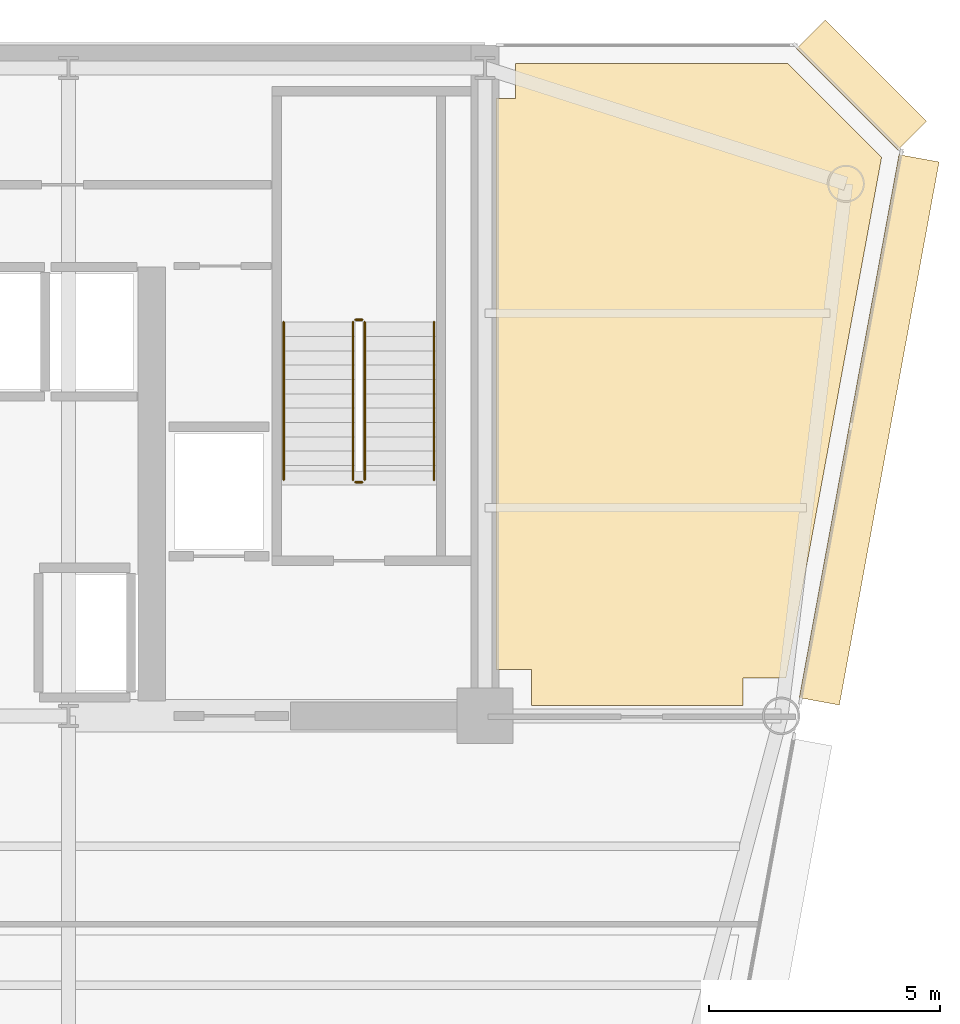
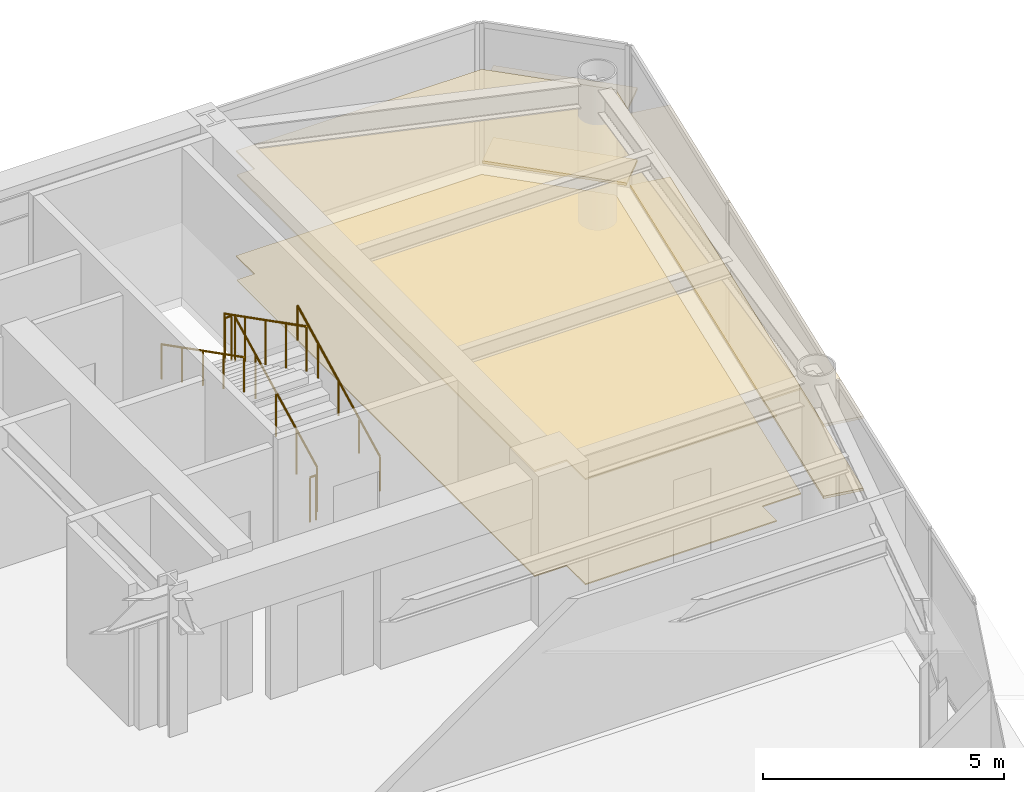
# One storey, part 16 of 16: 6 coverings, 6 railings.
"""IFC4 building model written with IfcOpenShell, lengths in metres."""

from ifc_helpers import new_model, si_unit, direction, frame, origin, origin_2d, place, context, subcontext, project, spatial, polyline, rectangle, circle, outline, extrude, source, transform, mapped, material, layer, layer_set, type_object, element, save


model = new_model("IFC4")

# Units and contexts
model_context = context("Model", 3, precision=1e-05, world=origin(), true_north=direction((0.0, 1.0)))
body_context = subcontext(model_context, "Body", "Model", "MODEL_VIEW")
ifc_project = project(units=[si_unit("LENGTHUNIT", "METRE"), si_unit("AREAUNIT", "SQUARE_METRE"), si_unit("VOLUMEUNIT", "CUBIC_METRE"), si_unit("PLANEANGLEUNIT", "RADIAN"), si_unit("MASSUNIT", "GRAM", prefix="KILO")], contexts=[model_context])

# Site, building, storey
site_placement = place(None, origin())
site = spatial("IfcSite", under=ifc_project, at=site_placement, CompositionType="ELEMENT")
building_placement = place(site_placement, origin())
building = spatial("IfcBuilding", under=site, at=building_placement, Name="Vaeldorn Concourse Tower", CompositionType="ELEMENT")
storey_placement = place(building_placement, frame((0.0, 0.0, 195.60009765625)))
storey = spatial("IfcBuildingStorey", under=building, at=storey_placement, Name="L50", CompositionType="ELEMENT", Elevation=195.60009765625)

# Coverings
ifc_material_1 = material(Name="Acoustic Mineral Fibre Board", Category="gypsum")
ifc_layer_1 = layer(ifc_material_1, 0.0400390625)
ifc_layer_set_1 = layer_set([ifc_layer_1], Name="Acoustic Mineral Fibre Board")
covering_type_1 = type_object("IfcCoveringType", Name="COV-CEIL-ACOUSTIC", PredefinedType="CEILING", material=ifc_layer_set_1)
covering_1_placement = place(storey_placement, frame((0.0, 0.0, 2.64990234375)))
element("IfcCovering", 1, at=covering_1_placement, inside=storey, type_object=covering_type_1, Name="Suspended Acoustic Ceiling L50-4", PredefinedType="CEILING", context=body_context, shape_type="SweptSolid", body=[
    extrude(outline(polyline([(54.659912109375, 49.840087890625), (54.659912109375, 50.60009765625), (60.5341796875, 50.60009765625), (62.568603515625, 48.565673828125), (60.50390625, 37.320068359375), (59.580078125, 37.320068359375), (59.580078125, 36.719970703125), (55.0, 36.719970703125), (55.0, 37.5), (54.239990234375, 37.5), (54.239990234375, 49.840087890625), (54.659912109375, 49.840087890625)])), origin(), (0.0, 0.0, 1.0), 0.0400390625),
])
ifc_material_2 = material(Name="Honed Limestone Terrazzo Flooring", Category="masonry")
ifc_layer_2 = layer(ifc_material_2, 0.0400390625)
ifc_layer_set_2 = layer_set([ifc_layer_2], Name="Honed Limestone Terrazzo Flooring")
covering_type_2 = type_object("IfcCoveringType", Name="COV-FLOOR-STONE", PredefinedType="FLOORING", material=ifc_layer_set_2)
covering_2_placement = place(storey_placement, origin())
element("IfcCovering", 2, at=covering_2_placement, inside=storey, type_object=covering_type_2, Name="Floor Finish Covering L50-4", PredefinedType="FLOORING", context=body_context, shape_type="SweptSolid", body=[
    extrude(outline(polyline([(54.659912109375, 49.840087890625), (54.659912109375, 50.60009765625), (60.5341796875, 50.60009765625), (62.568603515625, 48.565673828125), (60.50390625, 37.320068359375), (59.580078125, 37.320068359375), (59.580078125, 36.719970703125), (55.0, 36.719970703125), (55.0, 37.5), (54.239990234375, 37.5), (54.239990234375, 49.840087890625), (54.659912109375, 49.840087890625)])), origin(), (0.0, 0.0, 1.0), 0.02978515625),
])

# Railings
ifc_material_3 = material(Name="Anodised Bronze Aluminium", Category="aluminium")
railing_type_1 = type_object("IfcRailingType", Name="RL-STAIR-GUARD", PredefinedType="GUARDRAIL", material=ifc_material_3)
railing_1_placement = place(storey_placement, frame((51.39990234375, 41.60009765625, 0.158203125)))
element("IfcRailing", 3, at=railing_1_placement, inside=storey, type_object=railing_type_1, Name="L50 ST-2 stair guard 1", PredefinedType="GUARDRAIL", context=body_context, shape_type="SweptSolid", body=[
    extrude(circle(Radius=0.02392578125, at=origin_2d()), frame((0.0, 0.0, 1.1259765625), z_axis=(0.0, 0.890555807335, 0.454873997962), x_axis=(-1.0, 0.0, 0.0)), (0.0, 0.0, 1.0), 3.828857421875),
    extrude(circle(Radius=0.02099609375, at=origin_2d()), origin(), (0.0, 0.0, 1.0), 1.101806640625),
    extrude(circle(Radius=0.02099609375, at=origin_2d()), frame((0.0, 0.8525390625, 0.435546875)), (0.0, 0.0, 1.0), 1.101806640625),
    extrude(circle(Radius=0.02099609375, at=origin_2d()), frame((0.0, 1.705078125, 0.870849609375)), (0.0, 0.0, 1.0), 1.101806640625),
    extrude(circle(Radius=0.02099609375, at=origin_2d()), frame((0.0, 2.557373046875, 1.30615234375)), (0.0, 0.0, 1.0), 1.101806640625),
    extrude(circle(Radius=0.02099609375, at=origin_2d()), frame((0.0, 3.409912109375, 1.74169921875)), (0.0, 0.0, 1.0), 1.101806640625),
])
railing_2_placement = place(storey_placement, frame((51.35009765625, 45.06005859375, 1.89990234375)))
element("IfcRailing", 4, at=railing_2_placement, inside=storey, type_object=railing_type_1, Name="L50 ST-2 stair guard 2", PredefinedType="GUARDRAIL", context=body_context, shape_type="SweptSolid", body=[
    extrude(circle(Radius=0.02392578125, at=origin_2d()), frame((0.0, 0.0, 1.1259765625), z_axis=(-1.0, 0.0, 0.0), x_axis=(0.0, -1.0, 0.0)), (0.0, 0.0, 1.0), 0.150146484375),
    extrude(circle(Radius=0.02099609375, at=origin_2d()), origin(), (0.0, 0.0, 1.0), 1.101806640625),
    extrude(circle(Radius=0.02099609375, at=origin_2d()), frame((-0.150146484375, 0.0, 0.0)), (0.0, 0.0, 1.0), 1.101806640625),
])
railing_3_placement = place(storey_placement, frame((51.14990234375, 45.010009765625, 2.058349609375)))
element("IfcRailing", 5, at=railing_3_placement, inside=storey, type_object=railing_type_1, Name="L50 ST-2 stair guard 3", PredefinedType="GUARDRAIL", context=body_context, shape_type="SweptSolid", body=[
    extrude(circle(Radius=0.02392578125, at=origin_2d()), frame((0.0, 0.0, 1.1259765625), z_axis=(0.0, -0.890581635807, 0.454823427236), x_axis=(1.0, 0.0, 0.0)), (0.0, 0.0, 1.0), 3.828857421875),
    extrude(circle(Radius=0.02099609375, at=origin_2d()), origin(), (0.0, 0.0, 1.0), 1.101806640625),
    extrude(circle(Radius=0.02099609375, at=origin_2d()), frame((0.0, -0.8525390625, 0.435302734375)), (0.0, 0.0, 1.0), 1.101806640625),
    extrude(circle(Radius=0.02099609375, at=origin_2d()), frame((0.0, -1.705078125, 0.87060546875)), (0.0, 0.0, 1.0), 1.101806640625),
    extrude(circle(Radius=0.02099609375, at=origin_2d()), frame((0.0, -2.557373046875, 1.30615234375)), (0.0, 0.0, 1.0), 1.101806640625),
    extrude(circle(Radius=0.02099609375, at=origin_2d()), frame((0.0, -3.409912109375, 1.741455078125)), (0.0, 0.0, 1.0), 1.101806640625),
])
railing_4_placement = place(storey_placement, frame((51.35009765625, 41.550048828125, 0.0)))
element("IfcRailing", 6, at=railing_4_placement, inside=storey, type_object=railing_type_1, Name="L50 ST-2 stair guard 4", PredefinedType="GUARDRAIL", context=body_context, shape_type="SweptSolid", body=[
    extrude(circle(Radius=0.02392578125, at=origin_2d()), frame((0.0, 0.0, 1.1259765625), z_axis=(-1.0, 0.0, 0.0), x_axis=(0.0, -1.0, 0.0)), (0.0, 0.0, 1.0), 0.150146484375),
    extrude(circle(Radius=0.02099609375, at=origin_2d()), origin(), (0.0, 0.0, 1.0), 1.101806640625),
    extrude(circle(Radius=0.02099609375, at=origin_2d()), frame((-0.150146484375, 0.0, 0.0)), (0.0, 0.0, 1.0), 1.101806640625),
])
railing_type_2 = type_object("IfcRailingType", Name="RL-STAIR-HANDRAIL", PredefinedType="HANDRAIL", material=ifc_material_3)
railing_5_placement = place(storey_placement, frame((52.89990234375, 41.60009765625, 0.158203125)))
element("IfcRailing", 7, at=railing_5_placement, inside=storey, type_object=railing_type_2, Name="L50 ST-2 stair handrail 1", PredefinedType="HANDRAIL", context=body_context, shape_type="SweptSolid", body=[
    extrude(circle(Radius=0.02392578125, at=origin_2d()), frame((0.0, 0.0, 0.8759765625), z_axis=(0.0, 0.890555807335, 0.454873997962), x_axis=(-1.0, 0.0, 0.0)), (0.0, 0.0, 1.0), 3.828857421875),
    extrude(circle(Radius=0.02099609375, at=origin_2d()), origin(), (0.0, 0.0, 1.0), 0.851806640625),
    extrude(circle(Radius=0.02099609375, at=origin_2d()), frame((0.0, 0.8525390625, 0.435546875)), (0.0, 0.0, 1.0), 0.851806640625),
    extrude(circle(Radius=0.02099609375, at=origin_2d()), frame((0.0, 1.705078125, 0.870849609375)), (0.0, 0.0, 1.0), 0.851806640625),
    extrude(circle(Radius=0.02099609375, at=origin_2d()), frame((0.0, 2.557373046875, 1.30615234375)), (0.0, 0.0, 1.0), 0.851806640625),
    extrude(circle(Radius=0.02099609375, at=origin_2d()), frame((0.0, 3.409912109375, 1.74169921875)), (0.0, 0.0, 1.0), 0.851806640625),
])
railing_6_placement = place(storey_placement, frame((49.64990234375, 45.010009765625, 2.058349609375)))
element("IfcRailing", 8, at=railing_6_placement, inside=storey, type_object=railing_type_2, Name="L50 ST-2 stair handrail 2", PredefinedType="HANDRAIL", context=body_context, shape_type="SweptSolid", body=[
    extrude(circle(Radius=0.02392578125, at=origin_2d()), frame((0.0, 0.0, 0.8759765625), z_axis=(0.0, -0.890581635807, 0.454823427236), x_axis=(1.0, 0.0, 0.0)), (0.0, 0.0, 1.0), 3.828857421875),
    extrude(circle(Radius=0.02099609375, at=origin_2d()), origin(), (0.0, 0.0, 1.0), 0.851806640625),
    extrude(circle(Radius=0.02099609375, at=origin_2d()), frame((0.0, -0.8525390625, 0.435302734375)), (0.0, 0.0, 1.0), 0.851806640625),
    extrude(circle(Radius=0.02099609375, at=origin_2d()), frame((0.0, -1.705078125, 0.87060546875)), (0.0, 0.0, 1.0), 0.851806640625),
    extrude(circle(Radius=0.02099609375, at=origin_2d()), frame((0.0, -2.557373046875, 1.30615234375)), (0.0, 0.0, 1.0), 0.851806640625),
    extrude(circle(Radius=0.02099609375, at=origin_2d()), frame((0.0, -3.409912109375, 1.741455078125)), (0.0, 0.0, 1.0), 0.851806640625),
])

# Coverings
ifc_layer_3 = layer(ifc_material_3, 0.06494140625)
ifc_layer_set_3 = layer_set([ifc_layer_3], Name="Anodised Bronze Aluminium")
covering_type_3 = type_object("IfcCoveringType", Name="SD-BRONZE-SUNSHADE", PredefinedType="USERDEFINED", material=ifc_layer_set_3)
shared_shape_1 = source(origin(), body_context, "Body", "SweptSolid", [
    extrude(rectangle(XDim=3.0927734375, YDim=0.8798828125, at=origin_2d()), origin(), (0.0, 0.0, 1.0), 0.06494140625),
])
for number, where, z_axis, x_axis, name in (
    (9, (62.1328125, 50.1328125, 0.04736328125), (0.0, 0.0, 1.0), (-0.707106781187, 0.707106781187, 0.0), "Horizontal Bronze Sunshade L50-E08.1.1"),
    (10, (62.1328125, 50.1328125, 1.867431640625), (0.0, 0.0, 1.0), (-0.707106781187, 0.707106781187, 0.0), "Horizontal Bronze Sunshade L50-E08.1.2"),
):
    element("IfcCovering", number, at=place(storey_placement, frame(where, z_axis=z_axis, x_axis=x_axis)), inside=storey, type_object=covering_type_3, Name=name, ObjectType="SUNSHADE", PredefinedType="USERDEFINED", context=body_context, shape_type="MappedRepresentation", body=[
        mapped(shared_shape_1, transform((0.0, 0.0, 0.0), scale=1.0)),
    ])
shared_shape_2 = source(origin(), body_context, "Body", "SweptSolid", [
    extrude(rectangle(XDim=11.931396484375, YDim=0.8798828125, at=origin_2d()), origin(), (0.0, 0.0, 1.0), 0.06494140625),
])
for number, where, z_axis, x_axis, name in (
    (11, (62.3017578125, 42.681396484375, 0.04736328125), (0.0, 0.0, 1.0), (0.180587811053, 0.983558865803, 0.0), "Horizontal Bronze Sunshade L50-E07.2.1"),
    (12, (62.3017578125, 42.681396484375, 1.867431640625), (0.0, 0.0, 1.0), (0.180587811053, 0.983558865803, 0.0), "Horizontal Bronze Sunshade L50-E07.2.2"),
):
    element("IfcCovering", number, at=place(storey_placement, frame(where, z_axis=z_axis, x_axis=x_axis)), inside=storey, type_object=covering_type_3, Name=name, ObjectType="SUNSHADE", PredefinedType="USERDEFINED", context=body_context, shape_type="MappedRepresentation", body=[
        mapped(shared_shape_2, transform((0.0, 0.0, 0.0), scale=1.0)),
    ])

save(model, "model.ifc")
